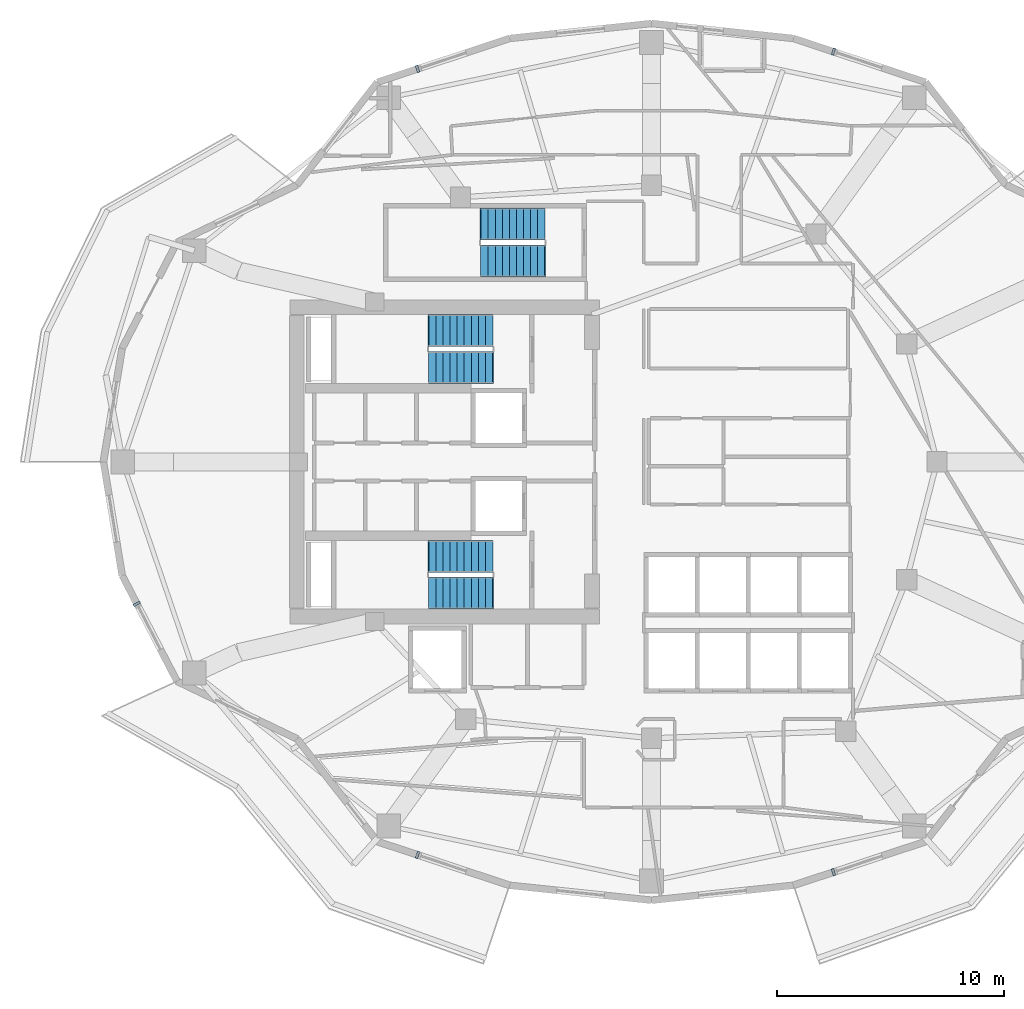
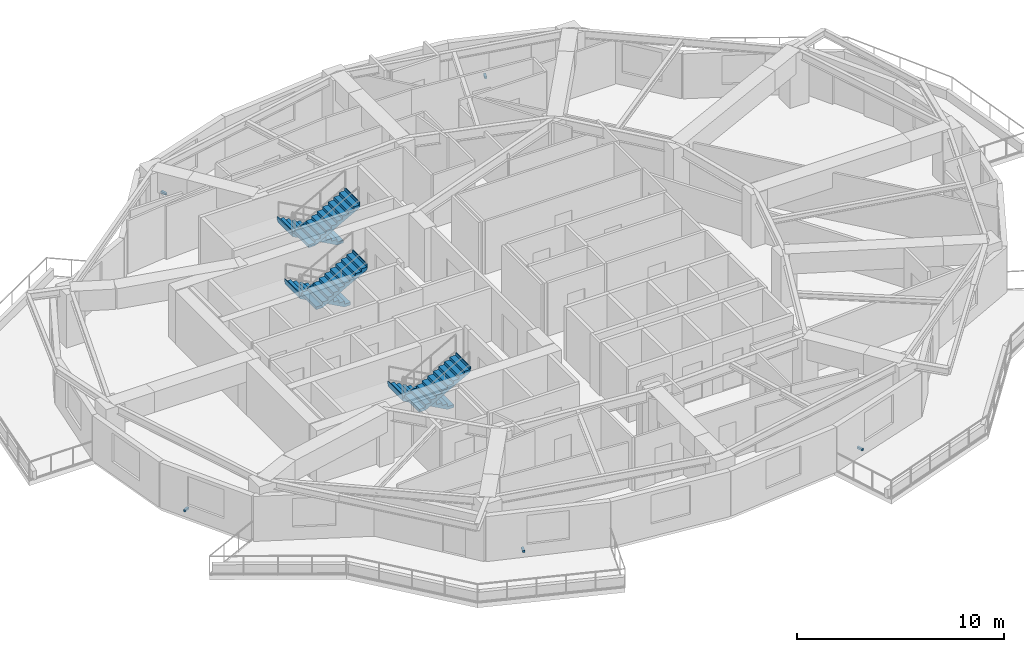
# One storey, part 8 of 12: 6 stair flights, 5 discrete accessories, 3 elements without a shape of their own.
"""IFC4 building model written with IfcOpenShell, lengths in metres."""

from ifc_helpers import new_model, si_unit, direction, frame, origin, origin_2d, place, context, subcontext, project, spatial, polyline, rectangle, outline, extrude, material, type_object, element, aggregate, save


model = new_model("IFC4")

# Units and contexts
model_context = context("Model", 3, precision=1e-05, world=origin(), true_north=direction((0.0, 1.0)))
body_context = subcontext(model_context, "Body", "Model", "MODEL_VIEW")
ifc_project = project(units=[si_unit("LENGTHUNIT", "METRE"), si_unit("AREAUNIT", "SQUARE_METRE"), si_unit("VOLUMEUNIT", "CUBIC_METRE"), si_unit("PLANEANGLEUNIT", "RADIAN"), si_unit("MASSUNIT", "GRAM", prefix="KILO")], contexts=[model_context])

# Site, building, storey
site_placement = place(None, origin())
site = spatial("IfcSite", under=ifc_project, at=site_placement, CompositionType="ELEMENT")
building_placement = place(site_placement, origin())
building = spatial("IfcBuilding", under=site, at=building_placement, Name="Kolvaren Gate Tower and Convention Centre", CompositionType="ELEMENT")
storey_placement = place(building_placement, frame((0.0, 0.0, 139.300048828125)))
storey = spatial("IfcBuildingStorey", under=building, at=storey_placement, Name="L35", CompositionType="ELEMENT", Elevation=139.300048828125)

# Stair, stair flights
ifc_material_1 = material(Name="Concrete C50/60", Category="concrete")
stair_type = type_object("IfcStairType", Name="STR-STAIR-CORE", PredefinedType="HALF_TURN_STAIR", material=ifc_material_1)
stair_1_placement = place(storey_placement, origin())
stair_1 = element("IfcStair", 1, at=stair_1_placement, inside=storey, type_object=stair_type, Name="L35 Tower North Exit Stair ST-T1", PredefinedType="HALF_TURN_STAIR")
stair_flight_type = type_object("IfcStairFlightType", Name="STR-SFL-1420", PredefinedType="STRAIGHT", material=ifc_material_1)
stair_flight_1_placement = place(storey_placement, frame((23.10009765625, 32.7900390625, 0.0), z_axis=(0.0, 0.0, 1.0), x_axis=(-1.0, 0.0, 0.0)))
stair_flight_1 = element("IfcStairFlight", 2, at=stair_flight_1_placement, type_object=stair_flight_type, Name="ST-T1 flight 1", NumberOfRisers=10, NumberOfTreads=9, PredefinedType="STRAIGHT", RiserHeight=0.17, TreadLength=0.31, context=body_context, shape_type="SweptSolid", body=[
    extrude(outline(polyline([(-0.034912109375, 0.0), (-0.034912109375, 0.169921875), (0.31005859375, 0.169921875), (0.31005859375, 0.340087890625), (0.6201171875, 0.340087890625), (0.6201171875, 0.510009765625), (0.929931640625, 0.510009765625), (0.929931640625, 0.679931640625), (1.239990234375, 0.679931640625), (1.239990234375, 0.85009765625), (1.550048828125, 0.85009765625), (1.550048828125, 1.02001953125), (1.860107421875, 1.02001953125), (1.860107421875, 1.18994140625), (2.169921875, 1.18994140625), (2.169921875, 1.360107421875), (2.47998046875, 1.360107421875), (2.47998046875, 1.530029296875), (2.7900390625, 1.530029296875), (2.7900390625, 1.699951171875), (2.8349609375, 1.699951171875), (2.8349609375, 1.5400390625), (2.7900390625, 1.359130859375), (0.311767578125, 0.0), (-0.034912109375, 0.0)])), frame((0.0, 0.7099609375, 0.0), z_axis=(0.0, -1.0, 0.0), x_axis=(1.0, 0.0, 0.0)), (0.0, 0.0, 1.0), 1.419921875),
])
stair_flight_2_placement = place(storey_placement, frame((20.31005859375, 31.169921875, 1.699951171875), z_axis=(0.0, 0.0, 1.0), x_axis=(1.0, 0.0, 0.0)))
stair_flight_2 = element("IfcStairFlight", 3, at=stair_flight_2_placement, type_object=stair_flight_type, Name="ST-T1 flight 2", NumberOfRisers=10, NumberOfTreads=9, PredefinedType="STRAIGHT", RiserHeight=0.17, TreadLength=0.31, context=body_context, shape_type="SweptSolid", body=[
    extrude(outline(polyline([(-0.034912109375, 0.0), (-0.034912109375, 0.169921875), (0.31005859375, 0.169921875), (0.31005859375, 0.340087890625), (0.6201171875, 0.340087890625), (0.6201171875, 0.510009765625), (0.929931640625, 0.510009765625), (0.929931640625, 0.679931640625), (1.239990234375, 0.679931640625), (1.239990234375, 0.85009765625), (1.550048828125, 0.85009765625), (1.550048828125, 1.02001953125), (1.860107421875, 1.02001953125), (1.860107421875, 1.18994140625), (2.169921875, 1.18994140625), (2.169921875, 1.360107421875), (2.47998046875, 1.360107421875), (2.47998046875, 1.530029296875), (2.7900390625, 1.530029296875), (2.7900390625, 1.699951171875), (2.8349609375, 1.699951171875), (2.8349609375, 1.5400390625), (2.7900390625, 1.359130859375), (0.311767578125, 0.0), (-0.034912109375, 0.0)])), frame((0.0, 0.7099609375, 0.0), z_axis=(0.0, -1.0, 0.0), x_axis=(1.0, 0.0, 0.0)), (0.0, 0.0, 1.0), 1.419921875),
])
aggregate(stair_1, [stair_flight_1, stair_flight_2])

stair_2_placement = place(storey_placement, origin())
stair_2 = element("IfcStair", 4, at=stair_2_placement, inside=storey, type_object=stair_type, Name="L35 Tower South Exit Stair ST-T2", PredefinedType="HALF_TURN_STAIR")
stair_flight_3_placement = place(storey_placement, frame((23.10009765625, 22.830078125, 0.0), z_axis=(0.0, 0.0, 1.0), x_axis=(-1.0, 0.0, 0.0)))
stair_flight_3 = element("IfcStairFlight", 5, at=stair_flight_3_placement, type_object=stair_flight_type, Name="ST-T2 flight 1", NumberOfRisers=10, NumberOfTreads=9, PredefinedType="STRAIGHT", RiserHeight=0.17, TreadLength=0.31, context=body_context, shape_type="SweptSolid", body=[
    extrude(outline(polyline([(-0.034912109375, 0.0), (-0.034912109375, 0.169921875), (0.31005859375, 0.169921875), (0.31005859375, 0.340087890625), (0.6201171875, 0.340087890625), (0.6201171875, 0.510009765625), (0.929931640625, 0.510009765625), (0.929931640625, 0.679931640625), (1.239990234375, 0.679931640625), (1.239990234375, 0.85009765625), (1.550048828125, 0.85009765625), (1.550048828125, 1.02001953125), (1.860107421875, 1.02001953125), (1.860107421875, 1.18994140625), (2.169921875, 1.18994140625), (2.169921875, 1.360107421875), (2.47998046875, 1.360107421875), (2.47998046875, 1.530029296875), (2.7900390625, 1.530029296875), (2.7900390625, 1.699951171875), (2.8349609375, 1.699951171875), (2.8349609375, 1.5400390625), (2.7900390625, 1.359130859375), (0.311767578125, 0.0), (-0.034912109375, 0.0)])), frame((0.0, 0.7099609375, 0.0), z_axis=(0.0, -1.0, 0.0), x_axis=(1.0, 0.0, 0.0)), (0.0, 0.0, 1.0), 1.419921875),
])
stair_flight_4_placement = place(storey_placement, frame((20.31005859375, 21.2099609375, 1.699951171875), z_axis=(0.0, 0.0, 1.0), x_axis=(1.0, 0.0, 0.0)))
stair_flight_4 = element("IfcStairFlight", 6, at=stair_flight_4_placement, type_object=stair_flight_type, Name="ST-T2 flight 2", NumberOfRisers=10, NumberOfTreads=9, PredefinedType="STRAIGHT", RiserHeight=0.17, TreadLength=0.31, context=body_context, shape_type="SweptSolid", body=[
    extrude(outline(polyline([(-0.034912109375, 0.0), (-0.034912109375, 0.169921875), (0.31005859375, 0.169921875), (0.31005859375, 0.340087890625), (0.6201171875, 0.340087890625), (0.6201171875, 0.510009765625), (0.929931640625, 0.510009765625), (0.929931640625, 0.679931640625), (1.239990234375, 0.679931640625), (1.239990234375, 0.85009765625), (1.550048828125, 0.85009765625), (1.550048828125, 1.02001953125), (1.860107421875, 1.02001953125), (1.860107421875, 1.18994140625), (2.169921875, 1.18994140625), (2.169921875, 1.360107421875), (2.47998046875, 1.360107421875), (2.47998046875, 1.530029296875), (2.7900390625, 1.530029296875), (2.7900390625, 1.699951171875), (2.8349609375, 1.699951171875), (2.8349609375, 1.5400390625), (2.7900390625, 1.359130859375), (0.311767578125, 0.0), (-0.034912109375, 0.0)])), frame((0.0, 0.7099609375, 0.0), z_axis=(0.0, -1.0, 0.0), x_axis=(1.0, 0.0, 0.0)), (0.0, 0.0, 1.0), 1.419921875),
])
aggregate(stair_2, [stair_flight_3, stair_flight_4])

stair_3_placement = place(storey_placement, origin())
stair_3 = element("IfcStair", 7, at=stair_3_placement, inside=storey, type_object=stair_type, Name="L35 Tower Mid-Zone Exit Stair ST-T3", PredefinedType="HALF_TURN_STAIR")
stair_flight_5_placement = place(storey_placement, frame((25.39990234375, 37.489990234375, 0.0), z_axis=(0.0, 0.0, 1.0), x_axis=(-1.0, 0.0, 0.0)))
stair_flight_5 = element("IfcStairFlight", 8, at=stair_flight_5_placement, type_object=stair_flight_type, Name="ST-T3 flight 1", NumberOfRisers=10, NumberOfTreads=9, PredefinedType="STRAIGHT", RiserHeight=0.17, TreadLength=0.31, context=body_context, shape_type="SweptSolid", body=[
    extrude(outline(polyline([(-0.034912109375, 0.0), (-0.034912109375, 0.169921875), (0.31005859375, 0.169921875), (0.31005859375, 0.340087890625), (0.6201171875, 0.340087890625), (0.6201171875, 0.510009765625), (0.929931640625, 0.510009765625), (0.929931640625, 0.679931640625), (1.239990234375, 0.679931640625), (1.239990234375, 0.85009765625), (1.550048828125, 0.85009765625), (1.550048828125, 1.02001953125), (1.860107421875, 1.02001953125), (1.860107421875, 1.18994140625), (2.169921875, 1.18994140625), (2.169921875, 1.360107421875), (2.47998046875, 1.360107421875), (2.47998046875, 1.530029296875), (2.7900390625, 1.530029296875), (2.7900390625, 1.699951171875), (2.8349609375, 1.699951171875), (2.8349609375, 1.5400390625), (2.7900390625, 1.359130859375), (0.311767578125, 0.0), (-0.034912109375, 0.0)])), frame((0.0, 0.7099609375, 0.0), z_axis=(0.0, -1.0, 0.0), x_axis=(1.0, 0.0, 0.0)), (0.0, 0.0, 1.0), 1.419921875),
])
stair_flight_6_placement = place(storey_placement, frame((22.610107421875, 35.8701171875, 1.699951171875), z_axis=(0.0, 0.0, 1.0), x_axis=(1.0, 0.0, 0.0)))
stair_flight_6 = element("IfcStairFlight", 9, at=stair_flight_6_placement, type_object=stair_flight_type, Name="ST-T3 flight 2", NumberOfRisers=10, NumberOfTreads=9, PredefinedType="STRAIGHT", RiserHeight=0.17, TreadLength=0.31, context=body_context, shape_type="SweptSolid", body=[
    extrude(outline(polyline([(-0.034912109375, 0.0), (-0.034912109375, 0.169921875), (0.31005859375, 0.169921875), (0.31005859375, 0.340087890625), (0.6201171875, 0.340087890625), (0.6201171875, 0.510009765625), (0.929931640625, 0.510009765625), (0.929931640625, 0.679931640625), (1.239990234375, 0.679931640625), (1.239990234375, 0.85009765625), (1.550048828125, 0.85009765625), (1.550048828125, 1.02001953125), (1.860107421875, 1.02001953125), (1.860107421875, 1.18994140625), (2.169921875, 1.18994140625), (2.169921875, 1.360107421875), (2.47998046875, 1.360107421875), (2.47998046875, 1.530029296875), (2.7900390625, 1.530029296875), (2.7900390625, 1.699951171875), (2.8349609375, 1.699951171875), (2.8349609375, 1.5400390625), (2.7900390625, 1.359130859375), (0.311767578125, 0.0), (-0.034912109375, 0.0)])), frame((0.0, 0.7099609375, 0.0), z_axis=(0.0, -1.0, 0.0), x_axis=(1.0, 0.0, 0.0)), (0.0, 0.0, 1.0), 1.419921875),
])
aggregate(stair_3, [stair_flight_5, stair_flight_6])

# Discrete accessories
ifc_material_2 = material(Name="Anodized Architectural Aluminium Alloy 6063-T6", Category="aluminium")
discrete_accessory_type = type_object("IfcDiscreteAccessoryType", Name="ARCH-ACC-BRACKET-120", PredefinedType="BRACKET", material=ifc_material_2)
for number, where, z_axis, x_axis, name in (
    (10, (38.153564453125, 45.104736328125, 0.289794921875), (0.0, 0.0, 1.0), (0.949240081615, -0.314552487599, 0.0), "Ceramic Fin Wall Anchor Bracket FBK-L35-04"),
    (11, (19.7998046875, 44.343505859375, 0.289794921875), (0.0, 0.0, 1.0), (0.949238434609, 0.314557457804, 0.0), "Ceramic Fin Wall Anchor Bracket FBK-L35-07"),
    (12, (7.413818359375, 20.732666015625, 0.289794921875), (0.0, 0.0, 1.0), (0.459781360558, -0.888032150591, 0.0), "Ceramic Fin Wall Anchor Bracket FBK-L35-13"),
    (13, (19.799560546875, 9.656494140625, 0.289794921875), (0.0, 0.0, 1.0), (0.949240081615, -0.314552487599, 0.0), "Ceramic Fin Wall Anchor Bracket FBK-L35-16"),
    (14, (38.153564453125, 8.895263671875, 0.289794921875), (0.0, 0.0, 1.0), (0.949240081615, 0.314552487599, 0.0), "Ceramic Fin Wall Anchor Bracket FBK-L35-19"),
):
    element("IfcDiscreteAccessory", number, at=place(storey_placement, frame(where, z_axis=z_axis, x_axis=x_axis)), inside=storey, type_object=discrete_accessory_type, Name=name, PredefinedType="BRACKET", context=body_context, shape_type="SweptSolid", body=[
        extrude(rectangle(XDim=0.1201171875, YDim=0.320068359375, at=origin_2d()), origin(), (0.0, 0.0, 1.0), 0.1201171875),
    ])

save(model, "model.ifc")
